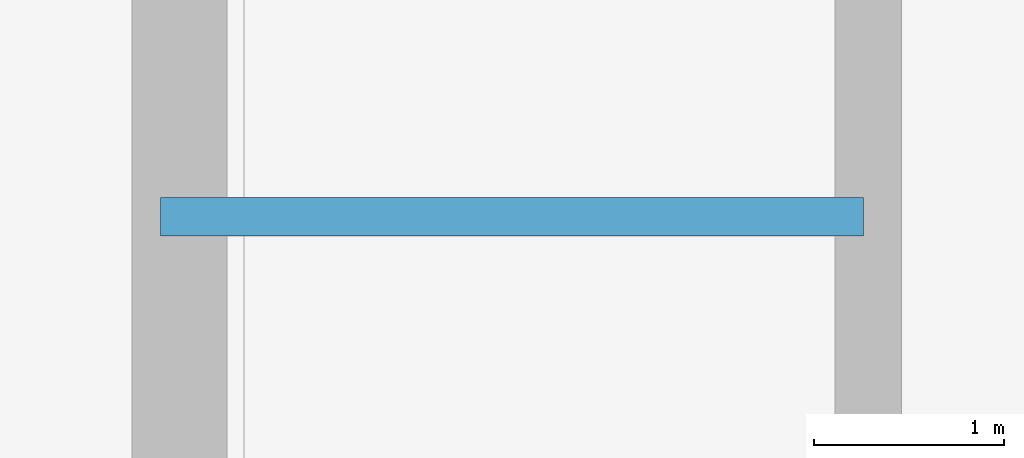
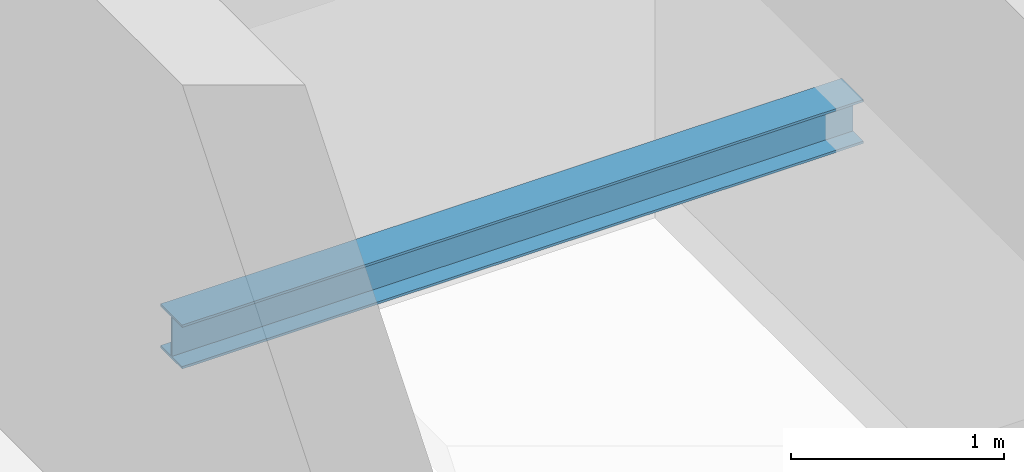
# One storey, part 13 of 32: 1 beam.
"""IFC4 building model written with IfcOpenShell, lengths in metres."""

from ifc_helpers import new_model, si_unit, direction, frame, origin, origin_2d, place, context, subcontext, project, spatial, i_section, extrude, material, material_profile, profile_set, type_object, element, save


model = new_model("IFC4")

# Units and contexts
model_context = context("Model", 3, precision=1e-05, world=origin(), true_north=direction((0.0, 1.0)))
body_context = subcontext(model_context, "Body", "Model", "MODEL_VIEW")
ifc_project = project(units=[si_unit("LENGTHUNIT", "METRE"), si_unit("AREAUNIT", "SQUARE_METRE"), si_unit("VOLUMEUNIT", "CUBIC_METRE"), si_unit("PLANEANGLEUNIT", "RADIAN"), si_unit("MASSUNIT", "GRAM", prefix="KILO")], contexts=[model_context])

# Site, building, storey
site_placement = place(None, origin())
site = spatial("IfcSite", under=ifc_project, at=site_placement, CompositionType="ELEMENT")
building_placement = place(site_placement, origin())
building = spatial("IfcBuilding", under=site, at=building_placement, Name="Veraguas Prism Commons", CompositionType="ELEMENT")
storey_placement = place(building_placement, frame((0.0, 0.0, 182.10009765625)))
storey = spatial("IfcBuildingStorey", under=building, at=storey_placement, Name="L51", CompositionType="ELEMENT", Elevation=182.10009765625)

# Beam
ifc_material = material(Name="Steel ASTM A992 Grade 50", Category="steel")
ifc_material_profile = material_profile(ifc_material, i_section(OverallWidth=0.202880859375, OverallDepth=0.251953125, WebThickness=0.008056640625, FlangeThickness=0.013427734375, at=origin_2d()), Name="W250X58")
ifc_profile_set = profile_set([ifc_material_profile], Name="Steel ASTM A992 Grade 50")
beam_type = type_object("IfcBeamType", Name="Structural Opening Lintel W250x58", PredefinedType="LINTEL", material=ifc_profile_set)
beam_placement = place(storey_placement, frame((17.25, 26.800048828125, 1.298828125), z_axis=(1.0, 0.0, 0.0), x_axis=(0.0, 1.0, 0.0)))
element("IfcBeam", 1, at=beam_placement, inside=storey, type_object=beam_type, Name="Stair ST-01 Half-Landing Support Beam L51-1", PredefinedType="LINTEL", context=body_context, shape_type="SweptSolid", body=[
    extrude(i_section(OverallWidth=0.202880859375, OverallDepth=0.251953125, WebThickness=0.008056640625, FlangeThickness=0.013427734375, at=origin_2d()), origin(), (0.0, 0.0, 1.0), 3.699951171875),
])

save(model, "model.ifc")
